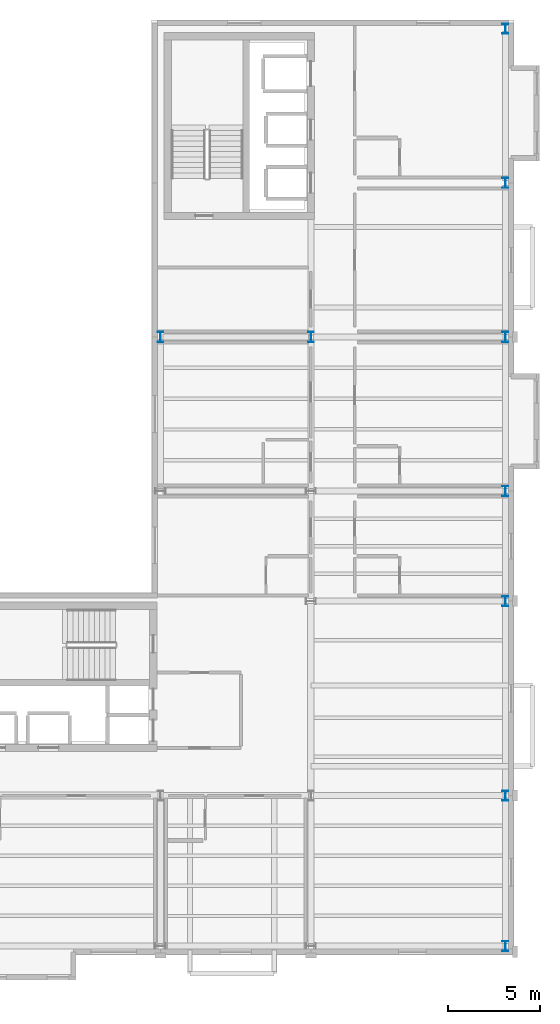
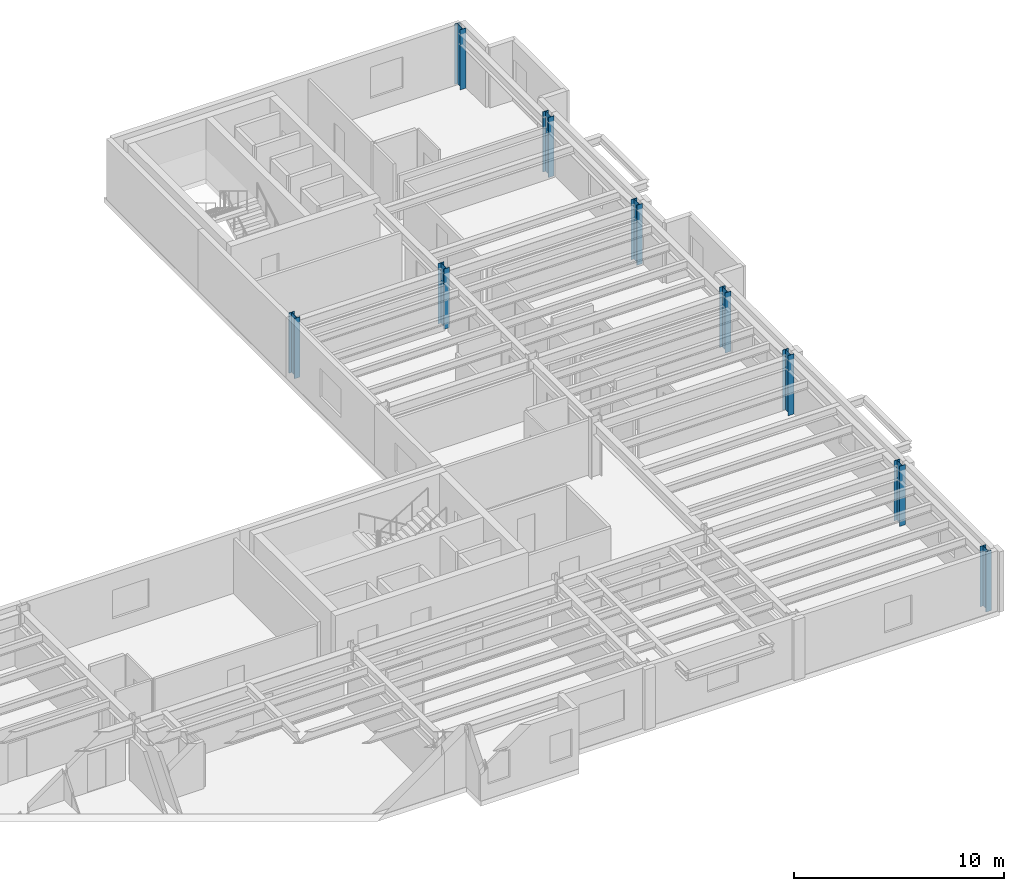
# One storey, part 3 of 17: 9 columns.
"""IFC4 building model written with IfcOpenShell, lengths in metres."""

import ifcopenshell
import ifcopenshell.guid

model = None  # the IFC model being written
_history = None  # IfcOwnerHistory: only IFC2X3 demands one
_inside = {}  # id of a spatial element -> (the spatial element, [elements in it])
_under = {}  # id of a project, library or spatial element -> (it, [spatial elements below it])
_declared = {}  # id of a project -> (the project, [libraries it declares])
_typed = {}  # id of a type object -> (the type object, [elements of that type])
_made_of = {}  # id of a material, layer set ... -> (it, [elements and type objects made of it])


def new_model(schema):
    """Start an empty IFC model of exactly this schema.

    Asked for "IFC4X3", IfcOpenShell would pick the latest addendum, in which some entities
    have other attributes; the version numbers below select the first issue.
    IFC2X3 requires an IfcOwnerHistory on every rooted entity: one is made here for all.
    """
    global model, _history
    if schema == "IFC4X3":
        model = ifcopenshell.file(schema_version=(4, 3, 0, 0))
    else:
        model = ifcopenshell.file(schema=schema)
    _inside.clear()
    _under.clear()
    _declared.clear()
    _typed.clear()
    _made_of.clear()
    _history = None
    if model.schema == "IFC2X3":
        org = make("IfcOrganization", Name="unknown")
        user = make(
            "IfcPersonAndOrganization",
            ThePerson=make("IfcPerson", FamilyName="unknown"),
            TheOrganization=org,
        )
        app = make(
            "IfcApplication",
            ApplicationDeveloper=org,
            Version="unknown",
            ApplicationFullName="unknown",
            ApplicationIdentifier="unknown",
        )
        _history = make(
            "IfcOwnerHistory",
            OwningUser=user,
            OwningApplication=app,
            ChangeAction="ADDED",
            CreationDate=0,
        )
    return model


def make(cls, **values):
    """One entity of the class cls with the attributes given. An attribute that is None is left unset."""
    return model.create_entity(
        cls, **{name: value for name, value in values.items() if value is not None}
    )


def rooted(cls, **values):
    """An entity with a GlobalId (a new one), such as an element, a storey or a relation."""
    return make(cls, GlobalId=ifcopenshell.guid.new(), OwnerHistory=_history, **values)


def si_unit(unit_type, name, prefix=None):
    """IfcSIUnit, for example si_unit("LENGTHUNIT", "METRE", prefix="MILLI")."""
    return make("IfcSIUnit", UnitType=unit_type, Prefix=prefix, Name=name)


def assignment(units):
    """IfcUnitAssignment: the units of a project."""
    return None if units is None else make("IfcUnitAssignment", Units=units)


def point(xyz):
    """IfcCartesianPoint."""
    return None if xyz is None else make("IfcCartesianPoint", Coordinates=xyz)


def direction(xyz):
    """IfcDirection."""
    return None if xyz is None else make("IfcDirection", DirectionRatios=xyz)


def frame(location, z_axis=None, x_axis=None):
    """IfcAxis2Placement3D, a coordinate frame: its origin and axes. An axis left out is left unset."""
    return make(
        "IfcAxis2Placement3D",
        Location=point(location),
        Axis=direction(z_axis),
        RefDirection=direction(x_axis),
    )


def frame_2d(location, x_axis=None):
    """IfcAxis2Placement2D, a coordinate frame in the plane: its origin and x axis."""
    return make(
        "IfcAxis2Placement2D", Location=point(location), RefDirection=direction(x_axis)
    )


def origin():
    """The frame at (0, 0, 0) with its axes left unset."""
    return frame((0.0, 0.0, 0.0))


def origin_2d():
    """The frame at (0, 0) in the plane with its x axis left unset."""
    return frame_2d((0.0, 0.0))


def place(relative_to, where):
    """IfcLocalPlacement: puts the frame where relative to a parent placement (None: the world)."""
    return make(
        "IfcLocalPlacement", PlacementRelTo=relative_to, RelativePlacement=where
    )


def context(
    kind, dimensions, precision=None, world=None, true_north=None, identifier=None
):
    """IfcGeometricRepresentationContext, for example the 3D "Model" context."""
    return make(
        "IfcGeometricRepresentationContext",
        ContextIdentifier=identifier,
        ContextType=kind,
        CoordinateSpaceDimension=dimensions,
        Precision=precision,
        WorldCoordinateSystem=world,
        TrueNorth=true_north,
    )


def subcontext(parent, identifier, kind, view, scale=None):
    """IfcGeometricRepresentationSubContext, for example "Body" below "Model"."""
    return make(
        "IfcGeometricRepresentationSubContext",
        ContextIdentifier=identifier,
        ContextType=kind,
        ParentContext=parent,
        TargetScale=scale,
        TargetView=view,
    )


def project(units=None, contexts=None):
    """IfcProject with its units and contexts."""
    return rooted(
        "IfcProject",
        Name="project",
        RepresentationContexts=contexts,
        UnitsInContext=assignment(units),
    )


def spatial(cls, under=None, at=None, **own):
    """A site, building, storey or space (cls), placed at a placement, below another one or the project."""
    s = rooted(cls, ObjectPlacement=at, **own)
    if under is not None:
        _under.setdefault(under.id(), (under, []))[1].append(s)
    return s


def profile(cls, at=None, kind="AREA", **sizes):
    """A parametric profile (cls). Its sizes go by their IFC names, for example OverallWidth=200.0."""
    return make(cls, ProfileType=kind, Position=at, **sizes)


def i_section(**sizes):
    """IfcIShapeProfileDef."""
    return profile("IfcIShapeProfileDef", **sizes)


def extrude(swept, where, along, depth):
    """IfcExtrudedAreaSolid: the profile swept, set in the frame where, extruded along a direction by depth."""
    return make(
        "IfcExtrudedAreaSolid",
        SweptArea=swept,
        Position=where,
        ExtrudedDirection=direction(along),
        Depth=depth,
    )


def shape(context_of_items, identifier, shape_type, items):
    """IfcShapeRepresentation: the items that make up one representation, for example the "Body"."""
    return make(
        "IfcShapeRepresentation",
        ContextOfItems=context_of_items,
        RepresentationIdentifier=identifier,
        RepresentationType=shape_type,
        Items=items,
    )


def material(Name=None, Category=None):
    """IfcMaterial."""
    return make("IfcMaterial", Name=Name, Category=Category)


def material_profile(
    of_material, cross_section, Name=None, Category=None, Priority=None
):
    """IfcMaterialProfile: a cross section and its material."""
    return make(
        "IfcMaterialProfile",
        Name=Name,
        Material=of_material,
        Profile=cross_section,
        Priority=Priority,
        Category=Category,
    )


def profile_set(profiles, Name=None, composite=None):
    """IfcMaterialProfileSet."""
    return make(
        "IfcMaterialProfileSet",
        Name=Name,
        MaterialProfiles=profiles,
        CompositeProfile=composite,
    )


def made_of(thing, what):
    """Note that an element or type object is made of a material, layer set ...; save() writes the relation."""
    if what is not None:
        _made_of.setdefault(what.id(), (what, []))[1].append(thing)
    return thing


def type_object(cls, material=None, **own):
    """A type object (cls), such as IfcWallType, which elements share."""
    return made_of(rooted(cls, **own), material)


def element(
    cls,
    number,
    at=None,
    inside=None,
    cuts=None,
    type_object=None,
    material=None,
    context=None,
    identifier="Body",
    shape_type=None,
    held_by="IfcProductDefinitionShape",
    body=None,
    shapes=None,
    **own,
):
    """One element of the class cls, such as IfcWall. Its Tag is "e" and its number.

    at: its placement. inside: the storey or other place that contains it. cuts: it is an
    opening in that element (IfcRelVoidsElement). A single representation is given by context,
    identifier, shape_type and body (its items); several are given by shapes. held_by: the class
    of the entity that holds the representations. save() writes the other relations.
    """
    e = rooted(cls, Tag="e%d" % number, ObjectPlacement=at, **own)
    if body is not None:
        shapes = [shape(context, identifier, shape_type, body)]
    if shapes is not None:
        e.Representation = make(held_by, Representations=shapes)
    if inside is not None:
        _inside.setdefault(inside.id(), (inside, []))[1].append(e)
    if cuts is not None:
        rooted(
            "IfcRelVoidsElement", RelatingBuildingElement=cuts, RelatedOpeningElement=e
        )
    if type_object is not None:
        _typed.setdefault(type_object.id(), (type_object, []))[1].append(e)
    return made_of(e, material)


def aggregate(whole, parts):
    """IfcRelAggregates: a whole, such as a stair, and the parts it consists of."""
    return rooted("IfcRelAggregates", RelatingObject=whole, RelatedObjects=parts)


def save(model, path):
    """Write the relations noted so far, then the file.

    IfcRelAggregates (storeys below a building ...), IfcRelContainedInSpatialStructure (elements
    in a storey), IfcRelDefinesByType, IfcRelAssociatesMaterial and IfcRelDeclares: one each for
    every whole, place, type object, material and project.
    """
    for whole, parts in _under.values():
        aggregate(whole, parts)
    for where, things in _inside.values():
        rooted(
            "IfcRelContainedInSpatialStructure",
            RelatedElements=things,
            RelatingStructure=where,
        )
    for kind, things in _typed.values():
        rooted("IfcRelDefinesByType", RelatedObjects=things, RelatingType=kind)
    for what, things in _made_of.values():
        rooted("IfcRelAssociatesMaterial", RelatedObjects=things, RelatingMaterial=what)
    for by, libraries in _declared.values():
        rooted("IfcRelDeclares", RelatingContext=by, RelatedDefinitions=libraries)
    model.write(path)


model = new_model("IFC4")

# Units and contexts
model_context = context("Model", 3, precision=1e-05, world=origin(), true_north=direction((0.0, 1.0)))
body_context = subcontext(model_context, "Body", "Model", "MODEL_VIEW")
ifc_project = project(units=[si_unit("LENGTHUNIT", "METRE"), si_unit("AREAUNIT", "SQUARE_METRE"), si_unit("VOLUMEUNIT", "CUBIC_METRE"), si_unit("PLANEANGLEUNIT", "RADIAN"), si_unit("MASSUNIT", "GRAM", prefix="KILO")], contexts=[model_context])

# Site, building, storey
site_placement = place(None, origin())
site = spatial("IfcSite", under=ifc_project, at=site_placement, CompositionType="ELEMENT")
building_placement = place(site_placement, origin())
building = spatial("IfcBuilding", under=site, at=building_placement, Name="Sollismere Congress Hotel", CompositionType="ELEMENT")
storey_placement = place(building_placement, frame((0.0, 0.0, 37.60009765625)))
storey = spatial("IfcBuildingStorey", under=building, at=storey_placement, Name="L09", CompositionType="ELEMENT", Elevation=37.60009765625)

# Columns
ifc_material = material(Name="Steel ASTM A992 Grade 50", Category="steel")
ifc_material_profile = material_profile(ifc_material, i_section(OverallWidth=0.31494140625, OverallDepth=0.551025390625, WebThickness=0.01513671875, FlangeThickness=0.0244140625, at=origin_2d()), Name="W21X122")
ifc_profile_set = profile_set([ifc_material_profile], Name="Steel ASTM A992 Grade 50")
column_type = type_object("IfcColumnType", Name="COL-W21", PredefinedType="COLUMN", material=ifc_profile_set)
for number, where, z_axis, x_axis, name in (
    (1, (147.199951171875, 33.199951171875, 0.0), (0.0, 0.0, 1.0), (1.0, 0.0, 0.0), "Column CL-L09-829"),
    (2, (155.39990234375, 33.199951171875, 0.0), (0.0, 0.0, 1.0), (1.0, 0.0, 0.0), "Column CL-L09-917"),
    (3, (166.0, 0.0, 0.0), (0.0, 0.0, 1.0), (1.0, 0.0, 0.0), "Column CL-L09-953"),
    (4, (166.0, 8.199951171875, 0.0), (0.0, 0.0, 1.0), (1.0, 0.0, 0.0), "Column CL-L09-966"),
    (5, (166.0, 18.800048828125, 0.0), (0.0, 0.0, 1.0), (1.0, 0.0, 0.0), "Column CL-L09-979"),
    (6, (166.0, 24.800048828125, 0.0), (0.0, 0.0, 1.0), (1.0, 0.0, 0.0), "Column CL-L09-992"),
    (7, (166.0, 33.199951171875, 0.0), (0.0, 0.0, 1.0), (1.0, 0.0, 0.0), "Column CL-L09-1005"),
    (8, (166.0, 41.60009765625, 0.0), (0.0, 0.0, 1.0), (1.0, 0.0, 0.0), "Column CL-L09-1018"),
    (9, (166.0, 50.0, 0.0), (0.0, 0.0, 1.0), (1.0, 0.0, 0.0), "Column CL-L09-1031"),
):
    element("IfcColumn", number, at=place(storey_placement, frame(where, z_axis=z_axis, x_axis=x_axis)), inside=storey, type_object=column_type, Name=name, PredefinedType="COLUMN", context=body_context, shape_type="SweptSolid", body=[
        extrude(i_section(OverallWidth=0.31494140625, OverallDepth=0.551025390625, WebThickness=0.01513671875, FlangeThickness=0.0244140625, at=origin_2d()), origin(), (0.0, 0.0, 1.0), 3.5),
    ])

save(model, "model.ifc")
